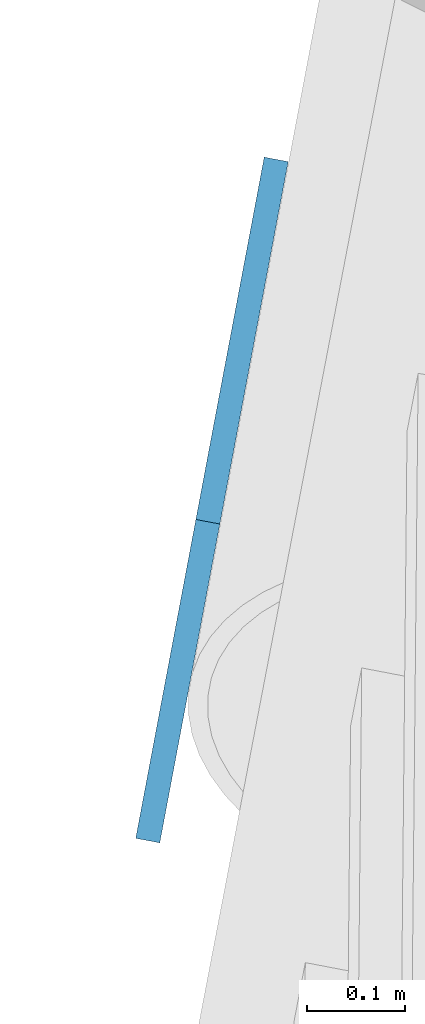
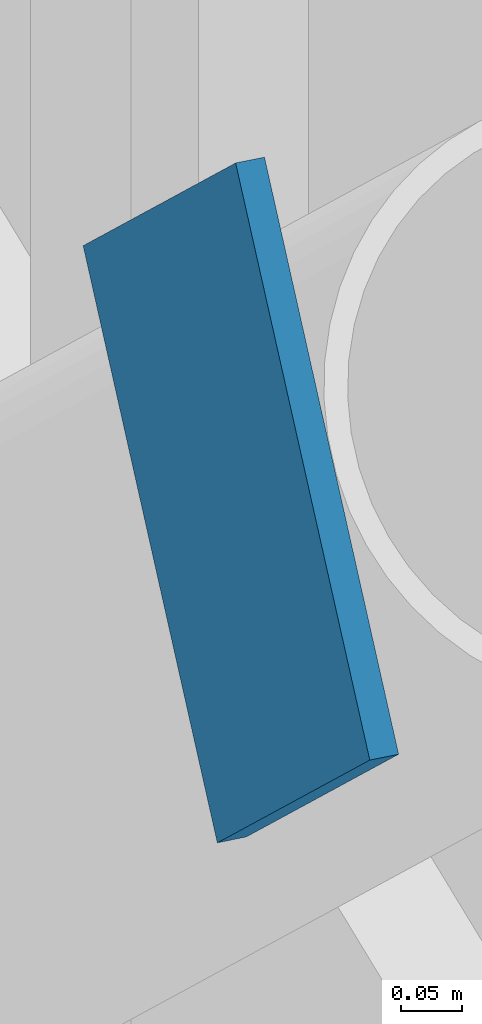
# One storey, part 9 of 23: 1 discrete accessory.
"""IFC4 building model written with IfcOpenShell, lengths in metres."""

from ifc_helpers import new_model, si_unit, direction, frame, origin, origin_2d, place, context, subcontext, project, spatial, rectangle, extrude, material, material_profile, profile_set, type_object, element, save


model = new_model("IFC4")

# Units and contexts
model_context = context("Model", 3, precision=1e-05, world=origin(), true_north=direction((0.0, 1.0)))
body_context = subcontext(model_context, "Body", "Model", "MODEL_VIEW")
ifc_project = project(units=[si_unit("LENGTHUNIT", "METRE"), si_unit("AREAUNIT", "SQUARE_METRE"), si_unit("VOLUMEUNIT", "CUBIC_METRE"), si_unit("PLANEANGLEUNIT", "RADIAN"), si_unit("MASSUNIT", "GRAM", prefix="KILO")], contexts=[model_context])

# Site, building, storey
site_placement = place(None, origin())
site = spatial("IfcSite", under=ifc_project, at=site_placement, CompositionType="ELEMENT")
building_placement = place(site_placement, origin())
building = spatial("IfcBuilding", under=site, at=building_placement, Name="Tarsis Ring Headquarters", CompositionType="ELEMENT")
storey_placement = place(building_placement, frame((0.0, 0.0, 239.39990234375)))
storey = spatial("IfcBuildingStorey", under=building, at=storey_placement, Name="L56", CompositionType="ELEMENT", Elevation=239.39990234375)

# Discrete accessory
ifc_material = material(Name="Structural steel S355", Category="steel")
ifc_material_profile = material_profile(ifc_material, rectangle(XDim=0.02490234375, YDim=0.5, at=origin_2d()), Name="PL 25x500")
ifc_profile_set = profile_set([ifc_material_profile], Name="Structural steel S355")
discrete_accessory_type = type_object("IfcDiscreteAccessoryType", Name="Gusset plate Exo brace 25", PredefinedType="BRACKET", material=ifc_profile_set)
discrete_accessory_placement = place(storey_placement, frame((-42.548828125, 6.65625, 7.800048828125), z_axis=(0.139149357949, 0.737735718808, -0.660593267735), x_axis=(-0.982672830134, 0.185348614552, 0.0)))
element("IfcDiscreteAccessory", 1, at=discrete_accessory_placement, inside=storey, type_object=discrete_accessory_type, Name="Gusset plate GP5", PredefinedType="BRACKET", context=body_context, shape_type="SweptSolid", body=[
    extrude(rectangle(XDim=0.02490234375, YDim=0.5, at=origin_2d()), origin(), (0.0, 0.0, 1.0), 0.5),
])

save(model, "model.ifc")
